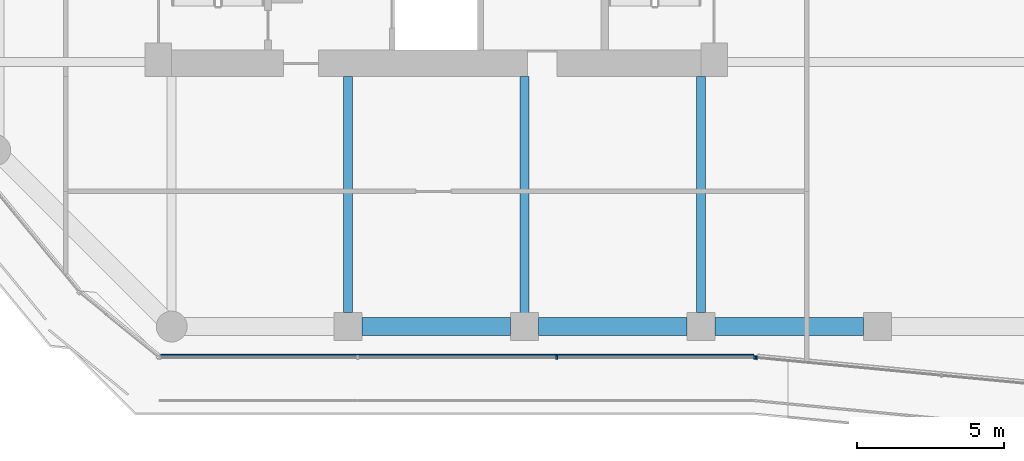
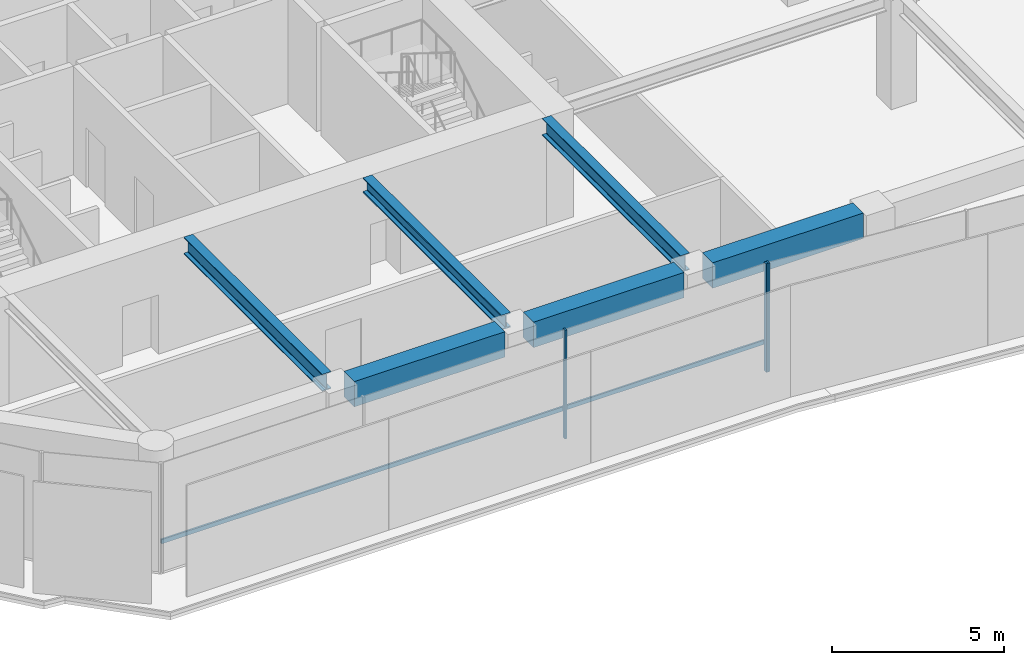
# One storey, part 3 of 31: 6 beams, 4 members, 2 elements without a shape of their own.
"""IFC4 building model written with IfcOpenShell, lengths in metres."""

import ifcopenshell
import ifcopenshell.guid

model = None  # the IFC model being written
_history = None  # IfcOwnerHistory: only IFC2X3 demands one
_inside = {}  # id of a spatial element -> (the spatial element, [elements in it])
_under = {}  # id of a project, library or spatial element -> (it, [spatial elements below it])
_declared = {}  # id of a project -> (the project, [libraries it declares])
_typed = {}  # id of a type object -> (the type object, [elements of that type])
_made_of = {}  # id of a material, layer set ... -> (it, [elements and type objects made of it])


def new_model(schema):
    """Start an empty IFC model of exactly this schema.

    Asked for "IFC4X3", IfcOpenShell would pick the latest addendum, in which some entities
    have other attributes; the version numbers below select the first issue.
    IFC2X3 requires an IfcOwnerHistory on every rooted entity: one is made here for all.
    """
    global model, _history
    if schema == "IFC4X3":
        model = ifcopenshell.file(schema_version=(4, 3, 0, 0))
    else:
        model = ifcopenshell.file(schema=schema)
    _inside.clear()
    _under.clear()
    _declared.clear()
    _typed.clear()
    _made_of.clear()
    _history = None
    if model.schema == "IFC2X3":
        org = make("IfcOrganization", Name="unknown")
        user = make(
            "IfcPersonAndOrganization",
            ThePerson=make("IfcPerson", FamilyName="unknown"),
            TheOrganization=org,
        )
        app = make(
            "IfcApplication",
            ApplicationDeveloper=org,
            Version="unknown",
            ApplicationFullName="unknown",
            ApplicationIdentifier="unknown",
        )
        _history = make(
            "IfcOwnerHistory",
            OwningUser=user,
            OwningApplication=app,
            ChangeAction="ADDED",
            CreationDate=0,
        )
    return model


def make(cls, **values):
    """One entity of the class cls with the attributes given. An attribute that is None is left unset."""
    return model.create_entity(
        cls, **{name: value for name, value in values.items() if value is not None}
    )


def rooted(cls, **values):
    """An entity with a GlobalId (a new one), such as an element, a storey or a relation."""
    return make(cls, GlobalId=ifcopenshell.guid.new(), OwnerHistory=_history, **values)


def si_unit(unit_type, name, prefix=None):
    """IfcSIUnit, for example si_unit("LENGTHUNIT", "METRE", prefix="MILLI")."""
    return make("IfcSIUnit", UnitType=unit_type, Prefix=prefix, Name=name)


def assignment(units):
    """IfcUnitAssignment: the units of a project."""
    return None if units is None else make("IfcUnitAssignment", Units=units)


def point(xyz):
    """IfcCartesianPoint."""
    return None if xyz is None else make("IfcCartesianPoint", Coordinates=xyz)


def direction(xyz):
    """IfcDirection."""
    return None if xyz is None else make("IfcDirection", DirectionRatios=xyz)


def frame(location, z_axis=None, x_axis=None):
    """IfcAxis2Placement3D, a coordinate frame: its origin and axes. An axis left out is left unset."""
    return make(
        "IfcAxis2Placement3D",
        Location=point(location),
        Axis=direction(z_axis),
        RefDirection=direction(x_axis),
    )


def frame_2d(location, x_axis=None):
    """IfcAxis2Placement2D, a coordinate frame in the plane: its origin and x axis."""
    return make(
        "IfcAxis2Placement2D", Location=point(location), RefDirection=direction(x_axis)
    )


def origin():
    """The frame at (0, 0, 0) with its axes left unset."""
    return frame((0.0, 0.0, 0.0))


def origin_2d():
    """The frame at (0, 0) in the plane with its x axis left unset."""
    return frame_2d((0.0, 0.0))


def place(relative_to, where):
    """IfcLocalPlacement: puts the frame where relative to a parent placement (None: the world)."""
    return make(
        "IfcLocalPlacement", PlacementRelTo=relative_to, RelativePlacement=where
    )


def context(
    kind, dimensions, precision=None, world=None, true_north=None, identifier=None
):
    """IfcGeometricRepresentationContext, for example the 3D "Model" context."""
    return make(
        "IfcGeometricRepresentationContext",
        ContextIdentifier=identifier,
        ContextType=kind,
        CoordinateSpaceDimension=dimensions,
        Precision=precision,
        WorldCoordinateSystem=world,
        TrueNorth=true_north,
    )


def subcontext(parent, identifier, kind, view, scale=None):
    """IfcGeometricRepresentationSubContext, for example "Body" below "Model"."""
    return make(
        "IfcGeometricRepresentationSubContext",
        ContextIdentifier=identifier,
        ContextType=kind,
        ParentContext=parent,
        TargetScale=scale,
        TargetView=view,
    )


def project(units=None, contexts=None):
    """IfcProject with its units and contexts."""
    return rooted(
        "IfcProject",
        Name="project",
        RepresentationContexts=contexts,
        UnitsInContext=assignment(units),
    )


def spatial(cls, under=None, at=None, **own):
    """A site, building, storey or space (cls), placed at a placement, below another one or the project."""
    s = rooted(cls, ObjectPlacement=at, **own)
    if under is not None:
        _under.setdefault(under.id(), (under, []))[1].append(s)
    return s


def profile(cls, at=None, kind="AREA", **sizes):
    """A parametric profile (cls). Its sizes go by their IFC names, for example OverallWidth=200.0."""
    return make(cls, ProfileType=kind, Position=at, **sizes)


def rectangle(**sizes):
    """IfcRectangleProfileDef."""
    return profile("IfcRectangleProfileDef", **sizes)


def i_section(**sizes):
    """IfcIShapeProfileDef."""
    return profile("IfcIShapeProfileDef", **sizes)


def extrude(swept, where, along, depth):
    """IfcExtrudedAreaSolid: the profile swept, set in the frame where, extruded along a direction by depth."""
    return make(
        "IfcExtrudedAreaSolid",
        SweptArea=swept,
        Position=where,
        ExtrudedDirection=direction(along),
        Depth=depth,
    )


def shape(context_of_items, identifier, shape_type, items):
    """IfcShapeRepresentation: the items that make up one representation, for example the "Body"."""
    return make(
        "IfcShapeRepresentation",
        ContextOfItems=context_of_items,
        RepresentationIdentifier=identifier,
        RepresentationType=shape_type,
        Items=items,
    )


def material(Name=None, Category=None):
    """IfcMaterial."""
    return make("IfcMaterial", Name=Name, Category=Category)


def layer(
    of_material, thickness, ventilated=None, Name=None, Category=None, Priority=None
):
    """IfcMaterialLayer: one layer of a wall or slab, of a material (None: an air gap)."""
    return make(
        "IfcMaterialLayer",
        Material=of_material,
        LayerThickness=thickness,
        IsVentilated=ventilated,
        Name=Name,
        Category=Category,
        Priority=Priority,
    )


def layer_set(layers, Name=None):
    """IfcMaterialLayerSet."""
    return make("IfcMaterialLayerSet", MaterialLayers=layers, LayerSetName=Name)


def material_profile(
    of_material, cross_section, Name=None, Category=None, Priority=None
):
    """IfcMaterialProfile: a cross section and its material."""
    return make(
        "IfcMaterialProfile",
        Name=Name,
        Material=of_material,
        Profile=cross_section,
        Priority=Priority,
        Category=Category,
    )


def profile_set(profiles, Name=None, composite=None):
    """IfcMaterialProfileSet."""
    return make(
        "IfcMaterialProfileSet",
        Name=Name,
        MaterialProfiles=profiles,
        CompositeProfile=composite,
    )


def made_of(thing, what):
    """Note that an element or type object is made of a material, layer set ...; save() writes the relation."""
    if what is not None:
        _made_of.setdefault(what.id(), (what, []))[1].append(thing)
    return thing


def type_object(cls, material=None, **own):
    """A type object (cls), such as IfcWallType, which elements share."""
    return made_of(rooted(cls, **own), material)


def element(
    cls,
    number,
    at=None,
    inside=None,
    cuts=None,
    type_object=None,
    material=None,
    context=None,
    identifier="Body",
    shape_type=None,
    held_by="IfcProductDefinitionShape",
    body=None,
    shapes=None,
    **own,
):
    """One element of the class cls, such as IfcWall. Its Tag is "e" and its number.

    at: its placement. inside: the storey or other place that contains it. cuts: it is an
    opening in that element (IfcRelVoidsElement). A single representation is given by context,
    identifier, shape_type and body (its items); several are given by shapes. held_by: the class
    of the entity that holds the representations. save() writes the other relations.
    """
    e = rooted(cls, Tag="e%d" % number, ObjectPlacement=at, **own)
    if body is not None:
        shapes = [shape(context, identifier, shape_type, body)]
    if shapes is not None:
        e.Representation = make(held_by, Representations=shapes)
    if inside is not None:
        _inside.setdefault(inside.id(), (inside, []))[1].append(e)
    if cuts is not None:
        rooted(
            "IfcRelVoidsElement", RelatingBuildingElement=cuts, RelatedOpeningElement=e
        )
    if type_object is not None:
        _typed.setdefault(type_object.id(), (type_object, []))[1].append(e)
    return made_of(e, material)


def aggregate(whole, parts):
    """IfcRelAggregates: a whole, such as a stair, and the parts it consists of."""
    return rooted("IfcRelAggregates", RelatingObject=whole, RelatedObjects=parts)


def save(model, path):
    """Write the relations noted so far, then the file.

    IfcRelAggregates (storeys below a building ...), IfcRelContainedInSpatialStructure (elements
    in a storey), IfcRelDefinesByType, IfcRelAssociatesMaterial and IfcRelDeclares: one each for
    every whole, place, type object, material and project.
    """
    for whole, parts in _under.values():
        aggregate(whole, parts)
    for where, things in _inside.values():
        rooted(
            "IfcRelContainedInSpatialStructure",
            RelatedElements=things,
            RelatingStructure=where,
        )
    for kind, things in _typed.values():
        rooted("IfcRelDefinesByType", RelatedObjects=things, RelatingType=kind)
    for what, things in _made_of.values():
        rooted("IfcRelAssociatesMaterial", RelatedObjects=things, RelatingMaterial=what)
    for by, libraries in _declared.values():
        rooted("IfcRelDeclares", RelatingContext=by, RelatedDefinitions=libraries)
    model.write(path)


model = new_model("IFC4")

# Units and contexts
model_context = context("Model", 3, precision=1e-05, world=origin(), true_north=direction((0.0, 1.0)))
body_context = subcontext(model_context, "Body", "Model", "MODEL_VIEW")
ifc_project = project(units=[si_unit("LENGTHUNIT", "METRE"), si_unit("AREAUNIT", "SQUARE_METRE"), si_unit("VOLUMEUNIT", "CUBIC_METRE"), si_unit("PLANEANGLEUNIT", "RADIAN"), si_unit("MASSUNIT", "GRAM", prefix="KILO")], contexts=[model_context])

# Site, building, storey
site_placement = place(None, origin())
site = spatial("IfcSite", under=ifc_project, at=site_placement, CompositionType="ELEMENT")
building_placement = place(site_placement, origin())
building = spatial("IfcBuilding", under=site, at=building_placement, Name="Welwitschia Terrace Campus", CompositionType="ELEMENT")
storey_placement = place(building_placement, frame((0.0, 0.0, 29.0)))
storey = spatial("IfcBuildingStorey", under=building, at=storey_placement, Name="L06", CompositionType="ELEMENT", Elevation=29.0)

# Beam
ifc_material_1 = material(Name="Steel S355", Category="steel")
ifc_material_profile_1 = material_profile(ifc_material_1, i_section(OverallWidth=0.305908203125, OverallDepth=0.52392578125, WebThickness=0.02099609375, FlangeThickness=0.0400390625, FilletRadius=0.027099609375, at=origin_2d()))
ifc_profile_set_1 = profile_set([ifc_material_profile_1], Name="Steel S355")
beam_type_1 = type_object("IfcBeamType", Name="Interior girder HE 500 M", PredefinedType="BEAM", material=ifc_profile_set_1)
beam_placement = place(storey_placement, frame((18.0, -3.534423828125, 3.587890625), z_axis=(0.0, 1.0, 0.0), x_axis=(-1.0, 0.0, 0.0)))
element("IfcBeam", 1, at=beam_placement, inside=storey, type_object=beam_type_1, Name="Girder GB2", PredefinedType="BEAM", context=body_context, shape_type="SweptSolid", body=[
    extrude(i_section(OverallWidth=0.305908203125, OverallDepth=0.52392578125, WebThickness=0.02099609375, FlangeThickness=0.0400390625, FilletRadius=0.027099609375, at=origin_2d()), origin(), (0.0, 0.0, 1.0), 8.033447265625),
])

# Curtain wall, members
ifc_material_2 = material(Name="Bronze anodised aluminium", Category="aluminium")
ifc_layer = layer(ifc_material_2, 0.1201171875)
ifc_layer_set = layer_set([ifc_layer], Name="Bronze anodised aluminium")
curtain_wall_type = type_object("IfcCurtainWallType", Name="Curtain wall CW2 tower 6000", PredefinedType="NOTDEFINED", material=ifc_layer_set)
curtain_wall_1_placement = place(storey_placement, origin())
curtain_wall_1 = element("IfcCurtainWall", 2, at=curtain_wall_1_placement, inside=storey, type_object=curtain_wall_type, Name="CW L06.3.0", PredefinedType="NOTDEFINED")
ifc_material_3 = material(Name="Bronze anodised aluminium", Category="aluminium")
ifc_material_profile_2 = material_profile(ifc_material_3, rectangle(XDim=0.1201171875, YDim=0.06005859375, at=origin_2d()))
ifc_profile_set_2 = profile_set([ifc_material_profile_2], Name="Bronze anodised aluminium")
member_type_1 = type_object("IfcMemberType", Name="Mullion 60x120", PredefinedType="MULLION", material=ifc_profile_set_2)
member_1_placement = place(storey_placement, frame((19.09326171875, -5.05810546875, 0.0), z_axis=(0.0, 0.0, 1.0), x_axis=(0.0, 1.0, 0.0)))
member_1 = element("IfcMember", 3, at=member_1_placement, type_object=member_type_1, Name="Mullion L06.3.0.2", PredefinedType="MULLION", context=body_context, shape_type="SweptSolid", body=[
    extrude(rectangle(XDim=0.1201171875, YDim=0.06005859375, at=origin_2d()), origin(), (0.0, 0.0, 1.0), 3.85009765625),
])
member_2_placement = place(storey_placement, frame((25.8291015625, -5.05810546875, 0.0), z_axis=(0.0, 0.0, 1.0), x_axis=(0.0, 1.0, 0.0)))
member_2 = element("IfcMember", 4, at=member_2_placement, type_object=member_type_1, Name="Mullion L06.3.0.3", PredefinedType="MULLION", context=body_context, shape_type="SweptSolid", body=[
    extrude(rectangle(XDim=0.1201171875, YDim=0.06005859375, at=origin_2d()), origin(), (0.0, 0.0, 1.0), 3.85009765625),
])

# Curtain wall, member
curtain_wall_2_placement = place(storey_placement, origin())
curtain_wall_2 = element("IfcCurtainWall", 5, at=curtain_wall_2_placement, inside=storey, type_object=curtain_wall_type, Name="CW L06.4.0", PredefinedType="NOTDEFINED")
member_3_placement = place(storey_placement, frame((25.888916015625, -5.060791015625, 0.0), z_axis=(0.0, 0.0, 1.0), x_axis=(0.09584575252, 0.995396198367, 0.0)))
member_3 = element("IfcMember", 6, at=member_3_placement, type_object=member_type_1, Name="Mullion L06.4.0.0", PredefinedType="MULLION", context=body_context, shape_type="SweptSolid", body=[
    extrude(rectangle(XDim=0.1201171875, YDim=0.06005859375, at=origin_2d()), origin(), (0.0, 0.0, 1.0), 3.85009765625),
])
aggregate(curtain_wall_2, [member_3])

# Beams
ifc_material_4 = material(Name="Steel S355", Category="steel")
ifc_material_profile_3 = material_profile(ifc_material_4, i_section(OverallWidth=0.300048828125, OverallDepth=0.60009765625, WebThickness=0.015380859375, FlangeThickness=0.030029296875, FilletRadius=0.027099609375, at=origin_2d()))
ifc_profile_set_3 = profile_set([ifc_material_profile_3], Name="Steel S355")
beam_type_2 = type_object("IfcBeamType", Name="Primary beam HE 600 B", PredefinedType="BEAM", material=ifc_profile_set_3)
for number, where, z_axis, x_axis, name in (
    (7, (12.0, -3.5244140625, 3.550048828125), (0.0, 1.0, 0.0), (-1.0, 0.0, 0.0), "Primary beam PB2"),
    (8, (24.0, -3.5244140625, 3.550048828125), (0.0, 1.0, 0.0), (-1.0, 0.0, 0.0), "Primary beam PB2"),
):
    element("IfcBeam", number, at=place(storey_placement, frame(where, z_axis=z_axis, x_axis=x_axis)), inside=storey, type_object=beam_type_2, Name=name, PredefinedType="BEAM", context=body_context, shape_type="SweptSolid", body=[
        extrude(i_section(OverallWidth=0.300048828125, OverallDepth=0.60009765625, WebThickness=0.015380859375, FlangeThickness=0.030029296875, FilletRadius=0.027099609375, at=origin_2d()), origin(), (0.0, 0.0, 1.0), 8.0244140625),
    ])
ifc_material_5 = material(Name="Concrete C60/75", Category="concrete")
ifc_material_profile_4 = material_profile(ifc_material_5, rectangle(XDim=0.60009765625, YDim=0.89990234375, at=origin_2d()))
ifc_profile_set_4 = profile_set([ifc_material_profile_4], Name="Concrete C60/75")
beam_type_3 = type_object("IfcBeamType", Name="Ring spandrel 600x900", PredefinedType="SPANDREL", material=ifc_profile_set_4)
for number, where, z_axis, x_axis, name in (
    (9, (12.4755859375, -4.0, 3.39990234375), (1.0, 0.0, 0.0), (0.0, 1.0, 0.0), "Spandrel SP2"),
    (10, (18.4755859375, -4.0, 3.39990234375), (1.0, 0.0, 0.0), (0.0, 1.0, 0.0), "Spandrel SP2"),
    (11, (24.4755859375, -4.0, 3.39990234375), (1.0, 0.0, 0.0), (0.0, 1.0, 0.0), "Spandrel SP2"),
):
    element("IfcBeam", number, at=place(storey_placement, frame(where, z_axis=z_axis, x_axis=x_axis)), inside=storey, type_object=beam_type_3, Name=name, PredefinedType="SPANDREL", context=body_context, shape_type="SweptSolid", body=[
        extrude(rectangle(XDim=0.60009765625, YDim=0.89990234375, at=origin_2d()), origin(), (0.0, 0.0, 1.0), 5.048828125),
    ])

# Member
ifc_material_6 = material(Name="Bronze anodised aluminium", Category="aluminium")
ifc_material_profile_5 = material_profile(ifc_material_6, rectangle(XDim=0.06005859375, YDim=0.14990234375, at=origin_2d()))
ifc_profile_set_5 = profile_set([ifc_material_profile_5], Name="Bronze anodised aluminium")
member_type_2 = type_object("IfcMemberType", Name="Transom 60x150", PredefinedType="USERDEFINED", material=ifc_profile_set_5)
member_4_placement = place(storey_placement, frame((5.621826171875, -4.968017578125, 1.0), z_axis=(1.0, 0.0, 0.0), x_axis=(0.0, 1.0, 0.0)))
member_4 = element("IfcMember", 12, at=member_4_placement, type_object=member_type_2, Name="Transom L06.3.0", ObjectType="TRANSOM", PredefinedType="USERDEFINED", context=body_context, shape_type="SweptSolid", body=[
    extrude(rectangle(XDim=0.06005859375, YDim=0.14990234375, at=origin_2d()), origin(), (0.0, 0.0, 1.0), 20.17724609375),
])

aggregate(curtain_wall_1, [member_1, member_2, member_4])

save(model, "model.ifc")
